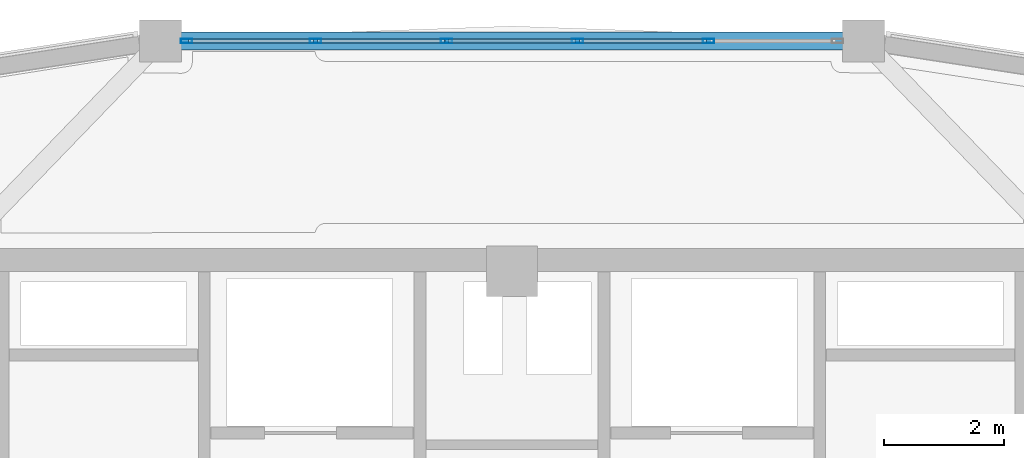
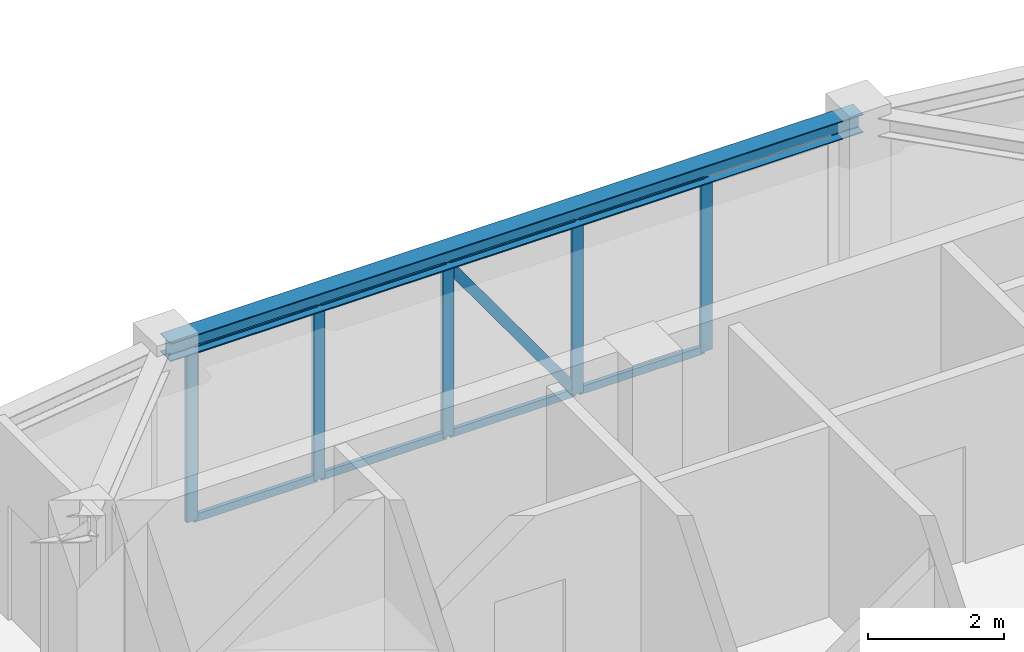
# One storey, part 9 of 15: 14 members, 1 beam, 1 element without a shape of its own.
"""IFC4 building model written with IfcOpenShell, lengths in metres."""

from ifc_helpers import new_model, si_unit, derived_unit, direction, frame, origin, origin_2d, place, context, subcontext, project, spatial, hollow_rectangle, i_section, extrude, source, transform, mapped, material, layer, layer_set, material_profile, profile_set, type_object, element, aggregate, save


model = new_model("IFC4")

# Units and contexts
model_context = context("Model", 3, precision=1e-05, world=origin(), true_north=direction((0.0, 1.0)))
body_context = subcontext(model_context, "Body", "Model", "MODEL_VIEW")
ifc_project = project(units=[si_unit("LENGTHUNIT", "METRE"), si_unit("AREAUNIT", "SQUARE_METRE"), si_unit("VOLUMEUNIT", "CUBIC_METRE"), si_unit("PLANEANGLEUNIT", "RADIAN"), si_unit("MASSUNIT", "GRAM", prefix="KILO"), derived_unit("THERMALTRANSMITTANCEUNIT", [(si_unit("POWERUNIT", "WATT"), 1), (si_unit("LENGTHUNIT", "METRE"), -2), (si_unit("THERMODYNAMICTEMPERATUREUNIT", "KELVIN"), -1)])], contexts=[model_context])

# Site, building, storey
site_placement = place(None, origin())
site = spatial("IfcSite", under=ifc_project, at=site_placement, CompositionType="ELEMENT")
building_placement = place(site_placement, origin())
building = spatial("IfcBuilding", under=site, at=building_placement, Name="Korsvarv Bourse and Concert Hall", CompositionType="ELEMENT")
storey_placement = place(building_placement, frame((0.0, 0.0, 268.199951171875)))
storey = spatial("IfcBuildingStorey", under=building, at=storey_placement, Name="L70", CompositionType="ELEMENT", Elevation=268.199951171875)

# Beam
ifc_material_1 = material(Name="Steel S355", Category="steel")
ifc_material_profile_1 = material_profile(ifc_material_1, i_section(OverallWidth=0.300048828125, OverallDepth=0.330078125, WebThickness=0.009521484375, FlangeThickness=0.0166015625, FilletRadius=0.02099609375, at=origin_2d()), Name="HEA 340")
ifc_profile_set_1 = profile_set([ifc_material_profile_1], Name="Steel S355")
beam_type = type_object("IfcBeamType", Name="BM-HEA340", PredefinedType="BEAM", material=ifc_profile_set_1)
shared_shape_1 = source(origin(), body_context, "Body", "SweptSolid", [
    extrude(i_section(OverallWidth=0.300048828125, OverallDepth=0.330078125, WebThickness=0.009521484375, FlangeThickness=0.0166015625, FilletRadius=0.02099609375, at=origin_2d()), origin(), (0.0, 0.0, 1.0), 11.73876953125),
])
beam_placement = place(storey_placement, frame((41.869384765625, 50.646728515625, 3.2451171875), z_axis=(-1.0, 0.0, 0.0), x_axis=(0.0, -1.0, 0.0)))
element("IfcBeam", 1, at=beam_placement, inside=storey, type_object=beam_type, Name="L70 beam B-12", PredefinedType="BEAM", context=body_context, shape_type="MappedRepresentation", body=[
    mapped(shared_shape_1, transform((0.0, 0.0, 0.0), scale=1.0)),
])

# Curtain wall, members
ifc_material_2 = material(Name="Anodised aluminium and triple low-E glazing", Category="glass")
ifc_layer = layer(ifc_material_2, 0.199951171875)
ifc_layer_set = layer_set([ifc_layer], Name="Anodised aluminium and triple low-E glazing")
curtain_wall_type = type_object("IfcCurtainWallType", Name="CW-SYS-3", PredefinedType="NOTDEFINED", material=ifc_layer_set)
curtain_wall_placement = place(storey_placement, origin())
curtain_wall = element("IfcCurtainWall", 2, at=curtain_wall_placement, inside=storey, type_object=curtain_wall_type, Name="L70 CW3 curtain wall CW-L70-F03", PredefinedType="NOTDEFINED")
ifc_material_3 = material(Name="Extruded aluminium EN AW-6063 T66", Category="aluminium")
ifc_material_profile_2 = material_profile(ifc_material_3, hollow_rectangle(XDim=0.070068359375, YDim=0.18994140625, WallThickness=0.0048828125, at=origin_2d()), Name="ALU-M 70x190")
ifc_profile_set_2 = profile_set([ifc_material_profile_2], Name="Extruded aluminium EN AW-6063 T66")
member_type_1 = type_object("IfcMemberType", Name="CWM-190", PredefinedType="MULLION", material=ifc_profile_set_2)
shared_shape_2 = source(origin(), body_context, "Body", "SweptSolid", [
    extrude(hollow_rectangle(XDim=0.070068359375, YDim=0.18994140625, WallThickness=0.0048828125, at=origin_2d()), origin(), (0.0, 0.0, 1.0), 3.080078125),
])
member_1_placement = place(storey_placement, frame((39.28173828125, 50.646728515625, 0.0), z_axis=(0.0, 0.0, 1.0), x_axis=(0.0, -1.0, 0.0)))
member_1 = element("IfcMember", 3, at=member_1_placement, type_object=member_type_1, Name="CW3 mullion 2", PredefinedType="MULLION", context=body_context, shape_type="MappedRepresentation", body=[
    mapped(shared_shape_2, transform((0.0, 0.0, 0.0), scale=1.0)),
])
member_2_placement = place(storey_placement, frame((37.093994140625, 50.646728515625, 0.0), z_axis=(0.0, 0.0, 1.0), x_axis=(0.0, -1.0, 0.0)))
member_2 = element("IfcMember", 4, at=member_2_placement, type_object=member_type_1, Name="CW3 mullion 3", PredefinedType="MULLION", context=body_context, shape_type="MappedRepresentation", body=[
    mapped(shared_shape_2, transform((0.0, 0.0, 0.0), scale=1.0)),
])
member_3_placement = place(storey_placement, frame((34.906005859375, 50.646728515625, 0.0), z_axis=(0.0, 0.0, 1.0), x_axis=(0.0, -1.0, 0.0)))
member_3 = element("IfcMember", 5, at=member_3_placement, type_object=member_type_1, Name="CW3 mullion 4", PredefinedType="MULLION", context=body_context, shape_type="MappedRepresentation", body=[
    mapped(shared_shape_2, transform((0.0, 0.0, 0.0), scale=1.0)),
])
member_4_placement = place(storey_placement, frame((32.71826171875, 50.646728515625, 0.0), z_axis=(0.0, 0.0, 1.0), x_axis=(0.0, -1.0, 0.0)))
member_4 = element("IfcMember", 6, at=member_4_placement, type_object=member_type_1, Name="CW3 mullion 5", PredefinedType="MULLION", context=body_context, shape_type="MappedRepresentation", body=[
    mapped(shared_shape_2, transform((0.0, 0.0, 0.0), scale=1.0)),
])
member_5_placement = place(storey_placement, frame((30.5654296875, 50.646728515625, 0.0), z_axis=(0.0, 0.0, 1.0), x_axis=(0.0, -1.0, 0.0)))
member_5 = element("IfcMember", 7, at=member_5_placement, type_object=member_type_1, Name="CW3 mullion 6", PredefinedType="MULLION", context=body_context, shape_type="MappedRepresentation", body=[
    mapped(shared_shape_2, transform((0.0, 0.0, 0.0), scale=1.0)),
])
ifc_material_profile_3 = material_profile(ifc_material_3, hollow_rectangle(XDim=0.06494140625, YDim=0.139892578125, WallThickness=0.00390625, at=origin_2d()), Name="ALU-T 65x140")
ifc_profile_set_3 = profile_set([ifc_material_profile_3], Name="Extruded aluminium EN AW-6063 T66")
member_type_2 = type_object("IfcMemberType", Name="CWT-140", PredefinedType="USERDEFINED", material=ifc_profile_set_3)
shared_shape_3 = source(origin(), body_context, "Body", "SweptSolid", [
    extrude(hollow_rectangle(XDim=0.06494140625, YDim=0.139892578125, WallThickness=0.00390625, at=origin_2d()), origin(), (0.0, 0.0, 1.0), 2.082763671875),
])
member_6_placement = place(storey_placement, frame((32.683349609375, 50.646728515625, 0.032470703125), z_axis=(-1.0, 0.0, 0.0), x_axis=(0.0, -1.0, 0.0)))
member_6 = element("IfcMember", 8, at=member_6_placement, type_object=member_type_2, Name="CW3 transom 5.1", ObjectType="TRANSOM", PredefinedType="USERDEFINED", context=body_context, shape_type="MappedRepresentation", body=[
    mapped(shared_shape_3, transform((0.0, 0.0, 0.0), scale=1.0)),
])
member_7_placement = place(storey_placement, frame((32.683349609375, 50.646728515625, 3.047607421875), z_axis=(-1.0, 0.0, 0.0), x_axis=(0.0, -1.0, 0.0)))
member_7 = element("IfcMember", 9, at=member_7_placement, type_object=member_type_2, Name="CW3 transom 5.2", ObjectType="TRANSOM", PredefinedType="USERDEFINED", context=body_context, shape_type="MappedRepresentation", body=[
    mapped(shared_shape_3, transform((0.0, 0.0, 0.0), scale=1.0)),
])
shared_shape_4 = source(origin(), body_context, "Body", "SweptSolid", [
    extrude(hollow_rectangle(XDim=0.06494140625, YDim=0.139892578125, WallThickness=0.00390625, at=origin_2d()), origin(), (0.0, 0.0, 1.0), 2.11767578125),
])
member_8_placement = place(storey_placement, frame((39.24658203125, 50.646728515625, 0.032470703125), z_axis=(-1.0, 0.0, 0.0), x_axis=(0.0, -1.0, 0.0)))
member_8 = element("IfcMember", 10, at=member_8_placement, type_object=member_type_2, Name="CW3 transom 2.1", ObjectType="TRANSOM", PredefinedType="USERDEFINED", context=body_context, shape_type="MappedRepresentation", body=[
    mapped(shared_shape_4, transform((0.0, 0.0, 0.0), scale=1.0)),
])
member_9_placement = place(storey_placement, frame((39.24658203125, 50.646728515625, 3.047607421875), z_axis=(-1.0, 0.0, 0.0), x_axis=(0.0, -1.0, 0.0)))
member_9 = element("IfcMember", 11, at=member_9_placement, type_object=member_type_2, Name="CW3 transom 2.2", ObjectType="TRANSOM", PredefinedType="USERDEFINED", context=body_context, shape_type="MappedRepresentation", body=[
    mapped(shared_shape_4, transform((0.0, 0.0, 0.0), scale=1.0)),
])
member_10_placement = place(storey_placement, frame((37.058837890625, 50.646728515625, 0.032470703125), z_axis=(-1.0, 0.0, 0.0), x_axis=(0.0, -1.0, 0.0)))
member_10 = element("IfcMember", 12, at=member_10_placement, type_object=member_type_2, Name="CW3 transom 3.1", ObjectType="TRANSOM", PredefinedType="USERDEFINED", context=body_context, shape_type="MappedRepresentation", body=[
    mapped(shared_shape_4, transform((0.0, 0.0, 0.0), scale=1.0)),
])
member_11_placement = place(storey_placement, frame((37.058837890625, 50.646728515625, 3.047607421875), z_axis=(-1.0, 0.0, 0.0), x_axis=(0.0, -1.0, 0.0)))
member_11 = element("IfcMember", 13, at=member_11_placement, type_object=member_type_2, Name="CW3 transom 3.2", ObjectType="TRANSOM", PredefinedType="USERDEFINED", context=body_context, shape_type="MappedRepresentation", body=[
    mapped(shared_shape_4, transform((0.0, 0.0, 0.0), scale=1.0)),
])
member_12_placement = place(storey_placement, frame((34.87109375, 50.646728515625, 0.032470703125), z_axis=(-1.0, 0.0, 0.0), x_axis=(0.0, -1.0, 0.0)))
member_12 = element("IfcMember", 14, at=member_12_placement, type_object=member_type_2, Name="CW3 transom 4.1", ObjectType="TRANSOM", PredefinedType="USERDEFINED", context=body_context, shape_type="MappedRepresentation", body=[
    mapped(shared_shape_4, transform((0.0, 0.0, 0.0), scale=1.0)),
])
member_13_placement = place(storey_placement, frame((34.87109375, 50.646728515625, 3.047607421875), z_axis=(-1.0, 0.0, 0.0), x_axis=(0.0, -1.0, 0.0)))
member_13 = element("IfcMember", 15, at=member_13_placement, type_object=member_type_2, Name="CW3 transom 4.2", ObjectType="TRANSOM", PredefinedType="USERDEFINED", context=body_context, shape_type="MappedRepresentation", body=[
    mapped(shared_shape_4, transform((0.0, 0.0, 0.0), scale=1.0)),
])
ifc_material_profile_4 = material_profile(ifc_material_3, hollow_rectangle(XDim=0.06494140625, YDim=0.1650390625, WallThickness=0.0048828125, at=origin_2d()), Name="ALU-M 65x165")
ifc_profile_set_4 = profile_set([ifc_material_profile_4], Name="Extruded aluminium EN AW-6063 T66")
member_type_3 = type_object("IfcMemberType", Name="CWM-165", PredefinedType="MULLION", material=ifc_profile_set_4)
shared_shape_5 = source(origin(), body_context, "Body", "SweptSolid", [
    extrude(hollow_rectangle(XDim=0.06494140625, YDim=0.1650390625, WallThickness=0.0048828125, at=origin_2d()), origin(), (0.0, 0.0, 1.0), 3.631591796875),
])
member_14_placement = place(storey_placement, frame((37.058837890625, 50.646728515625, 0.06494140625), z_axis=(-0.583131707414, 0.0, 0.812377628821), x_axis=(0.0, -1.0, 0.0)))
member_14 = element("IfcMember", 16, at=member_14_placement, type_object=member_type_3, Name="CW3 diagonal mullion 3", PredefinedType="MULLION", context=body_context, shape_type="MappedRepresentation", body=[
    mapped(shared_shape_5, transform((0.0, 0.0, 0.0), scale=1.0)),
])
aggregate(curtain_wall, [member_1, member_2, member_3, member_4, member_5, member_8, member_9, member_10, member_11, member_14, member_12, member_13, member_6, member_7])

save(model, "model.ifc")
